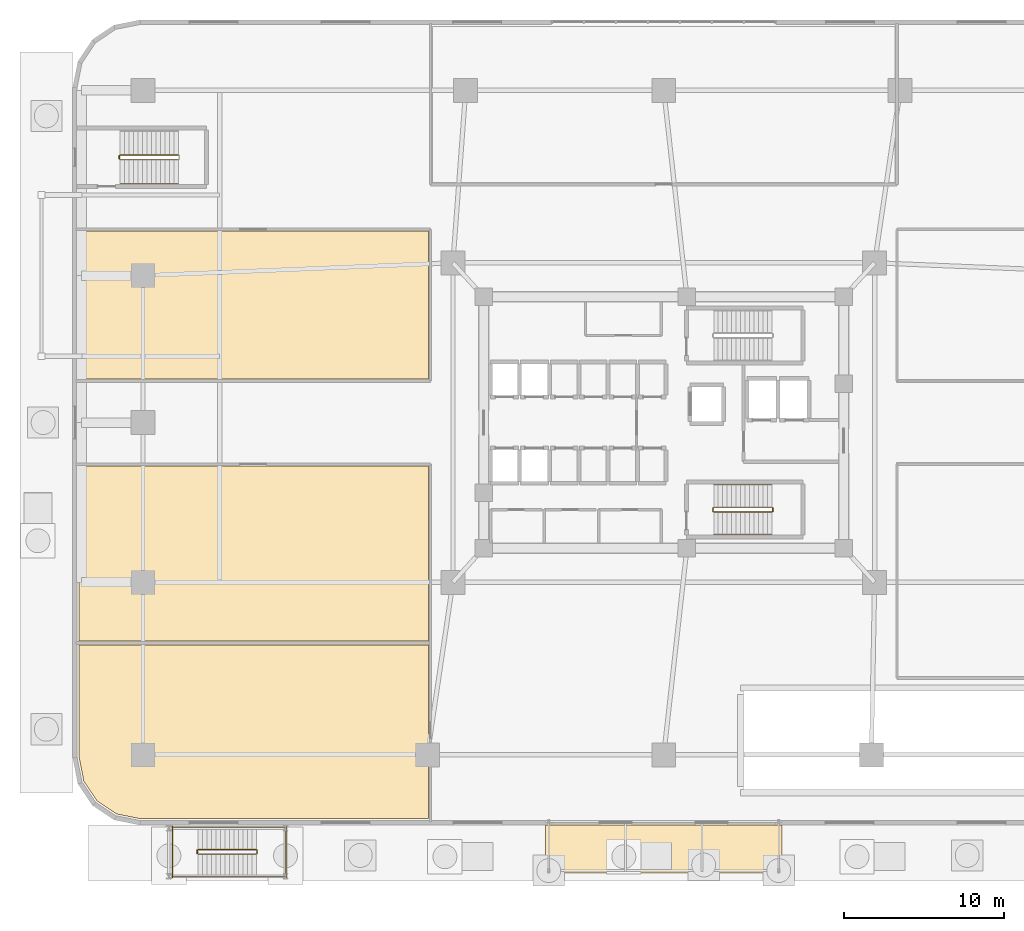
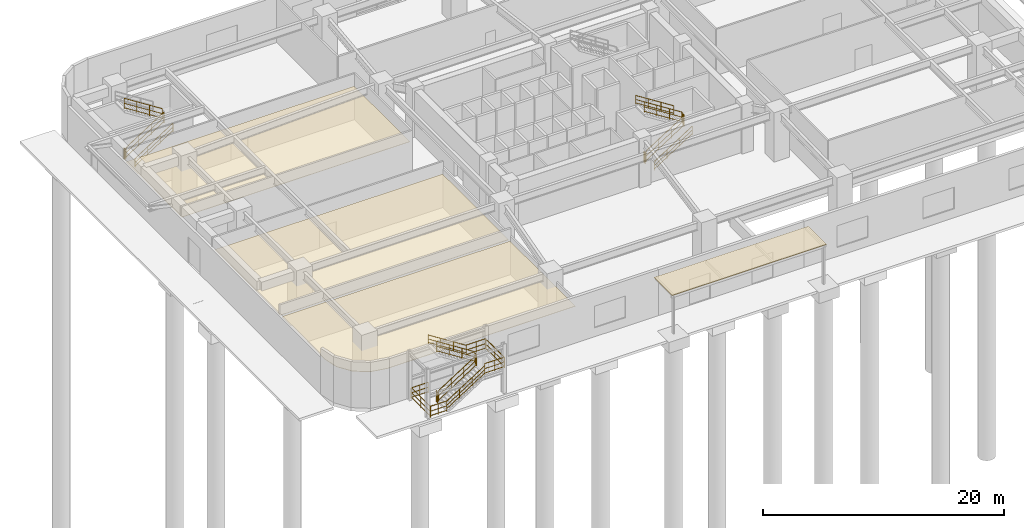
# One storey, part 16 of 18: 22 railings, 4 coverings.
"""IFC4 building model written with IfcOpenShell, lengths in metres."""

from ifc_helpers import new_model, si_unit, direction, frame, origin, origin_2d, place, context, subcontext, project, spatial, polyline, rectangle, outline, extrude, material, layer, layer_set, type_object, element, save


model = new_model("IFC4")

# Units and contexts
model_context = context("Model", 3, precision=1e-05, world=origin(), true_north=direction((0.0, 1.0)))
body_context = subcontext(model_context, "Body", "Model", "MODEL_VIEW")
ifc_project = project(units=[si_unit("LENGTHUNIT", "METRE"), si_unit("AREAUNIT", "SQUARE_METRE"), si_unit("VOLUMEUNIT", "CUBIC_METRE"), si_unit("PLANEANGLEUNIT", "RADIAN"), si_unit("MASSUNIT", "GRAM", prefix="KILO")], contexts=[model_context])

# Site, building, storey
site_placement = place(None, origin())
site = spatial("IfcSite", under=ifc_project, at=site_placement, CompositionType="ELEMENT")
building_placement = place(site_placement, origin())
building = spatial("IfcBuilding", under=site, at=building_placement, Name="Zulverin Broadcast Headquarters", CompositionType="ELEMENT")
storey_placement = place(building_placement, origin())
storey = spatial("IfcBuildingStorey", under=building, at=storey_placement, Name="L00", CompositionType="ELEMENT", Elevation=0.0)

# Coverings
ifc_material_1 = material(Name="Laminated low-iron safety canopy glass", Category="glass")
ifc_layer_1 = layer(ifc_material_1, 0.050048828125, Name="Laminated low-iron safety canopy glass", Category="glass")
ifc_layer_set_1 = layer_set([ifc_layer_1], Name="Laminated low-iron safety canopy glass")
covering_type_1 = type_object("IfcCoveringType", Name="COV-CANOPY-GLZ", PredefinedType="ROOFING", material=ifc_layer_set_1)
covering_1_placement = place(storey_placement, frame((0.0, 0.0, 3.969970703125)))
element("IfcCovering", 1, at=covering_1_placement, inside=storey, type_object=covering_type_1, Name="L00 South Entrance Laminated Canopy Glazing", PredefinedType="ROOFING", context=body_context, shape_type="SweptSolid", body=[
    extrude(outline(polyline([(29.60009765625, -3.0), (44.39990234375, -3.0), (44.39990234375, 0.02001953125), (29.60009765625, 0.02001953125), (29.60009765625, -3.0)])), origin(), (0.0, 0.0, 1.0), 0.050048828125),
])
ifc_material_2 = material(Name="Perforated pale-metal acoustic baffle ceiling", Category="aluminium")
ifc_layer_2 = layer(ifc_material_2, 0.0400390625, Name="Perforated pale-metal acoustic baffle ceiling", Category="aluminium")
ifc_layer_set_2 = layer_set([ifc_layer_2], Name="Perforated pale-metal acoustic baffle ceiling")
covering_type_2 = type_object("IfcCoveringType", Name="COV-CEIL-ACOU", PredefinedType="CEILING", material=ifc_layer_set_2)
covering_2_placement = place(storey_placement, frame((0.0, 0.0, 3.389892578125)))
element("IfcCovering", 2, at=covering_2_placement, inside=storey, type_object=covering_type_2, Name="L00 Acoustic Baffle Ceiling 01", PredefinedType="CEILING", context=body_context, shape_type="SweptSolid", body=[
    extrude(outline(polyline([(22.280029296875, 11.280029296875), (0.39990234375, 11.280029296875), (0.39990234375, 4.239990234375), (0.696044921875, 2.748046875), (1.52001953125, 1.52001953125), (2.748046875, 0.696044921875), (4.239990234375, 0.39990234375), (22.280029296875, 0.39990234375), (22.280029296875, 11.280029296875)])), origin(), (0.0, 0.0, 1.0), 0.0400390625),
])
covering_3_placement = place(storey_placement, frame((0.0, 0.0, 3.389892578125)))
element("IfcCovering", 3, at=covering_3_placement, inside=storey, type_object=covering_type_2, Name="L00 Acoustic Baffle Ceiling 02", PredefinedType="CEILING", context=body_context, shape_type="SweptSolid", body=[
    extrude(outline(polyline([(0.39990234375, 22.47998046875), (0.39990234375, 11.52001953125), (22.280029296875, 11.52001953125), (22.280029296875, 22.47998046875), (0.39990234375, 22.47998046875)])), origin(), (0.0, 0.0, 1.0), 0.0400390625),
])
covering_4_placement = place(storey_placement, frame((0.0, 0.0, 3.389892578125)))
element("IfcCovering", 4, at=covering_4_placement, inside=storey, type_object=covering_type_2, Name="L00 Acoustic Baffle Ceiling 03", PredefinedType="CEILING", context=body_context, shape_type="SweptSolid", body=[
    extrude(outline(polyline([(0.39990234375, 37.179931640625), (0.39990234375, 27.919921875), (22.280029296875, 27.919921875), (22.280029296875, 37.179931640625), (0.39990234375, 37.179931640625)])), origin(), (0.0, 0.0, 1.0), 0.0400390625),
])

# Railings
ifc_material_3 = material(Name="Painted galvanized steel tubular guardrail S355JR", Category="steel")
railing_type_1 = type_object("IfcRailingType", Name="RL-ST-GUARD", PredefinedType="GUARDRAIL", material=ifc_material_3)
railing_1_placement = place(storey_placement, frame((40.1298828125, 19.60009765625, 0.178466796875)))
element("IfcRailing", 5, at=railing_1_placement, inside=storey, type_object=railing_type_1, Name="L00 ST-2 stair guard 1", PredefinedType="GUARDRAIL", context=body_context, shape_type="SweptSolid", body=[
    extrude(rectangle(XDim=0.048095703125, YDim=0.048095703125, at=origin_2d()), frame((0.0, 0.0, 1.076171875), z_axis=(0.843127859045, 0.0, 0.537713132908), x_axis=(0.0, 1.0, 0.0)), (0.0, 0.0, 1.0), 4.3173828125),
    extrude(rectangle(XDim=0.0419921875, YDim=0.0419921875, at=origin_2d()), frame((0.0, 0.0, 0.572021484375), z_axis=(0.843127859045, 0.0, 0.537713132908), x_axis=(0.0, 1.0, 0.0)), (0.0, 0.0, 1.0), 4.3173828125),
    extrude(rectangle(XDim=0.0419921875, YDim=0.0419921875, at=origin_2d()), frame((0.0, 0.0, 0.1201171875), z_axis=(0.843127859045, 0.0, 0.537713132908), x_axis=(0.0, 1.0, 0.0)), (0.0, 0.0, 1.0), 4.3173828125),
    extrude(rectangle(XDim=0.0419921875, YDim=0.0419921875, at=origin_2d()), origin(), (0.0, 0.0, 1.0), 1.052001953125),
    extrude(rectangle(XDim=0.0419921875, YDim=0.0419921875, at=origin_2d()), frame((1.21337890625, 0.0, 0.77392578125)), (0.0, 0.0, 1.0), 1.052001953125),
    extrude(rectangle(XDim=0.0419921875, YDim=0.0419921875, at=origin_2d()), frame((2.4267578125, 0.0, 1.547607421875)), (0.0, 0.0, 1.0), 1.052001953125),
    extrude(rectangle(XDim=0.0419921875, YDim=0.0419921875, at=origin_2d()), frame((3.64013671875, 0.0, 2.321533203125)), (0.0, 0.0, 1.0), 1.052001953125),
])
railing_2_placement = place(storey_placement, frame((43.820068359375, 19.64990234375, 2.5)))
element("IfcRailing", 6, at=railing_2_placement, inside=storey, type_object=railing_type_1, Name="L00 ST-2 stair guard 2", PredefinedType="GUARDRAIL", context=body_context, shape_type="SweptSolid", body=[
    extrude(rectangle(XDim=0.048095703125, YDim=0.048095703125, at=origin_2d()), frame((0.0, 0.0, 1.076171875), z_axis=(0.0, 1.0, 0.0), x_axis=(-1.0, 0.0, 0.0)), (0.0, 0.0, 1.0), 0.2001953125),
    extrude(rectangle(XDim=0.0419921875, YDim=0.0419921875, at=origin_2d()), frame((0.0, 0.0, 0.572021484375), z_axis=(0.0, 1.0, 0.0), x_axis=(-1.0, 0.0, 0.0)), (0.0, 0.0, 1.0), 0.2001953125),
    extrude(rectangle(XDim=0.0419921875, YDim=0.0419921875, at=origin_2d()), frame((0.0, 0.0, 0.1201171875), z_axis=(0.0, 1.0, 0.0), x_axis=(-1.0, 0.0, 0.0)), (0.0, 0.0, 1.0), 0.2001953125),
    extrude(rectangle(XDim=0.0419921875, YDim=0.0419921875, at=origin_2d()), origin(), (0.0, 0.0, 1.0), 1.052001953125),
    extrude(rectangle(XDim=0.0419921875, YDim=0.0419921875, at=origin_2d()), frame((0.0, 0.2001953125, 0.0)), (0.0, 0.0, 1.0), 1.052001953125),
])
railing_3_placement = place(storey_placement, frame((43.77001953125, 19.89990234375, 2.678466796875)))
element("IfcRailing", 7, at=railing_3_placement, inside=storey, type_object=railing_type_1, Name="L00 ST-2 stair guard 3", PredefinedType="GUARDRAIL", context=body_context, shape_type="SweptSolid", body=[
    extrude(rectangle(XDim=0.048095703125, YDim=0.048095703125, at=origin_2d()), frame((0.0, 0.0, 1.076171875), z_axis=(-0.843127859045, 0.0, 0.537713132908), x_axis=(0.0, -1.0, 0.0)), (0.0, 0.0, 1.0), 4.3173828125),
    extrude(rectangle(XDim=0.0419921875, YDim=0.0419921875, at=origin_2d()), frame((0.0, 0.0, 0.572021484375), z_axis=(-0.843127859045, 0.0, 0.537713132908), x_axis=(0.0, -1.0, 0.0)), (0.0, 0.0, 1.0), 4.3173828125),
    extrude(rectangle(XDim=0.0419921875, YDim=0.0419921875, at=origin_2d()), frame((0.0, 0.0, 0.1201171875), z_axis=(-0.843127859045, 0.0, 0.537713132908), x_axis=(0.0, -1.0, 0.0)), (0.0, 0.0, 1.0), 4.3173828125),
    extrude(rectangle(XDim=0.0419921875, YDim=0.0419921875, at=origin_2d()), origin(), (0.0, 0.0, 1.0), 1.052001953125),
    extrude(rectangle(XDim=0.0419921875, YDim=0.0419921875, at=origin_2d()), frame((-1.21337890625, 0.0, 0.77392578125)), (0.0, 0.0, 1.0), 1.052001953125),
    extrude(rectangle(XDim=0.0419921875, YDim=0.0419921875, at=origin_2d()), frame((-2.4267578125, 0.0, 1.547607421875)), (0.0, 0.0, 1.0), 1.052001953125),
    extrude(rectangle(XDim=0.0419921875, YDim=0.0419921875, at=origin_2d()), frame((-3.64013671875, 0.0, 2.321533203125)), (0.0, 0.0, 1.0), 1.052001953125),
])
railing_4_placement = place(storey_placement, frame((40.080078125, 19.64990234375, 0.0)))
element("IfcRailing", 8, at=railing_4_placement, inside=storey, type_object=railing_type_1, Name="L00 ST-2 stair guard 4", PredefinedType="GUARDRAIL", context=body_context, shape_type="SweptSolid", body=[
    extrude(rectangle(XDim=0.048095703125, YDim=0.048095703125, at=origin_2d()), frame((0.0, 0.0, 1.076171875), z_axis=(0.0, 1.0, 0.0), x_axis=(-1.0, 0.0, 0.0)), (0.0, 0.0, 1.0), 0.2001953125),
    extrude(rectangle(XDim=0.0419921875, YDim=0.0419921875, at=origin_2d()), frame((0.0, 0.0, 0.572021484375), z_axis=(0.0, 1.0, 0.0), x_axis=(-1.0, 0.0, 0.0)), (0.0, 0.0, 1.0), 0.2001953125),
    extrude(rectangle(XDim=0.0419921875, YDim=0.0419921875, at=origin_2d()), frame((0.0, 0.0, 0.1201171875), z_axis=(0.0, 1.0, 0.0), x_axis=(-1.0, 0.0, 0.0)), (0.0, 0.0, 1.0), 0.2001953125),
    extrude(rectangle(XDim=0.0419921875, YDim=0.0419921875, at=origin_2d()), origin(), (0.0, 0.0, 1.0), 1.052001953125),
    extrude(rectangle(XDim=0.0419921875, YDim=0.0419921875, at=origin_2d()), frame((0.0, 0.2001953125, 0.0)), (0.0, 0.0, 1.0), 1.052001953125),
])
railing_5_placement = place(storey_placement, frame((2.969970703125, 41.64990234375, 0.178466796875)))
element("IfcRailing", 9, at=railing_5_placement, inside=storey, type_object=railing_type_1, Name="L00 ST-3 stair guard 1", PredefinedType="GUARDRAIL", context=body_context, shape_type="SweptSolid", body=[
    extrude(rectangle(XDim=0.048095703125, YDim=0.048095703125, at=origin_2d()), frame((0.0, 0.0, 1.076171875), z_axis=(0.843127859045, 0.0, 0.537713132908), x_axis=(0.0, 1.0, 0.0)), (0.0, 0.0, 1.0), 4.3173828125),
    extrude(rectangle(XDim=0.0419921875, YDim=0.0419921875, at=origin_2d()), frame((0.0, 0.0, 0.572021484375), z_axis=(0.843127859045, 0.0, 0.537713132908), x_axis=(0.0, 1.0, 0.0)), (0.0, 0.0, 1.0), 4.3173828125),
    extrude(rectangle(XDim=0.0419921875, YDim=0.0419921875, at=origin_2d()), frame((0.0, 0.0, 0.1201171875), z_axis=(0.843127859045, 0.0, 0.537713132908), x_axis=(0.0, 1.0, 0.0)), (0.0, 0.0, 1.0), 4.3173828125),
    extrude(rectangle(XDim=0.0419921875, YDim=0.0419921875, at=origin_2d()), origin(), (0.0, 0.0, 1.0), 1.052001953125),
    extrude(rectangle(XDim=0.0419921875, YDim=0.0419921875, at=origin_2d()), frame((1.21337890625, 0.0, 0.77392578125)), (0.0, 0.0, 1.0), 1.052001953125),
    extrude(rectangle(XDim=0.0419921875, YDim=0.0419921875, at=origin_2d()), frame((2.4267578125, 0.0, 1.547607421875)), (0.0, 0.0, 1.0), 1.052001953125),
    extrude(rectangle(XDim=0.0419921875, YDim=0.0419921875, at=origin_2d()), frame((3.64013671875, 0.0, 2.321533203125)), (0.0, 0.0, 1.0), 1.052001953125),
])
railing_6_placement = place(storey_placement, frame((6.610107421875, 41.949951171875, 2.678466796875)))
element("IfcRailing", 10, at=railing_6_placement, inside=storey, type_object=railing_type_1, Name="L00 ST-3 stair guard 3", PredefinedType="GUARDRAIL", context=body_context, shape_type="SweptSolid", body=[
    extrude(rectangle(XDim=0.048095703125, YDim=0.048095703125, at=origin_2d()), frame((0.0, 0.0, 1.076171875), z_axis=(-0.843127859045, 0.0, 0.537713132908), x_axis=(0.0, -1.0, 0.0)), (0.0, 0.0, 1.0), 4.3173828125),
    extrude(rectangle(XDim=0.0419921875, YDim=0.0419921875, at=origin_2d()), frame((0.0, 0.0, 0.572021484375), z_axis=(-0.843127859045, 0.0, 0.537713132908), x_axis=(0.0, -1.0, 0.0)), (0.0, 0.0, 1.0), 4.3173828125),
    extrude(rectangle(XDim=0.0419921875, YDim=0.0419921875, at=origin_2d()), frame((0.0, 0.0, 0.1201171875), z_axis=(-0.843127859045, 0.0, 0.537713132908), x_axis=(0.0, -1.0, 0.0)), (0.0, 0.0, 1.0), 4.3173828125),
    extrude(rectangle(XDim=0.0419921875, YDim=0.0419921875, at=origin_2d()), origin(), (0.0, 0.0, 1.0), 1.052001953125),
    extrude(rectangle(XDim=0.0419921875, YDim=0.0419921875, at=origin_2d()), frame((-1.21337890625, 0.0, 0.77392578125)), (0.0, 0.0, 1.0), 1.052001953125),
    extrude(rectangle(XDim=0.0419921875, YDim=0.0419921875, at=origin_2d()), frame((-2.4267578125, 0.0, 1.547607421875)), (0.0, 0.0, 1.0), 1.052001953125),
    extrude(rectangle(XDim=0.0419921875, YDim=0.0419921875, at=origin_2d()), frame((-3.64013671875, 0.0, 2.321533203125)), (0.0, 0.0, 1.0), 1.052001953125),
])
railing_7_placement = place(storey_placement, frame((2.919921875, 41.699951171875, 0.0)))
element("IfcRailing", 11, at=railing_7_placement, inside=storey, type_object=railing_type_1, Name="L00 ST-3 stair guard 4", PredefinedType="GUARDRAIL", context=body_context, shape_type="SweptSolid", body=[
    extrude(rectangle(XDim=0.048095703125, YDim=0.048095703125, at=origin_2d()), frame((0.0, 0.0, 1.076171875), z_axis=(0.0, 1.0, 0.0), x_axis=(-1.0, 0.0, 0.0)), (0.0, 0.0, 1.0), 0.199951171875),
    extrude(rectangle(XDim=0.0419921875, YDim=0.0419921875, at=origin_2d()), frame((0.0, 0.0, 0.572021484375), z_axis=(0.0, 1.0, 0.0), x_axis=(-1.0, 0.0, 0.0)), (0.0, 0.0, 1.0), 0.199951171875),
    extrude(rectangle(XDim=0.0419921875, YDim=0.0419921875, at=origin_2d()), frame((0.0, 0.0, 0.1201171875), z_axis=(0.0, 1.0, 0.0), x_axis=(-1.0, 0.0, 0.0)), (0.0, 0.0, 1.0), 0.199951171875),
    extrude(rectangle(XDim=0.0419921875, YDim=0.0419921875, at=origin_2d()), origin(), (0.0, 0.0, 1.0), 1.052001953125),
    extrude(rectangle(XDim=0.0419921875, YDim=0.0419921875, at=origin_2d()), frame((0.0, 0.199951171875, 0.0)), (0.0, 0.0, 1.0), 1.052001953125),
])
railing_8_placement = place(storey_placement, frame((7.85009765625, -1.830078125, 0.178466796875)))
element("IfcRailing", 12, at=railing_8_placement, inside=storey, type_object=railing_type_1, Name="L00 ST-5 stair guard 1", PredefinedType="GUARDRAIL", context=body_context, shape_type="SweptSolid", body=[
    extrude(rectangle(XDim=0.048095703125, YDim=0.048095703125, at=origin_2d()), frame((0.0, 0.0, 1.076171875), z_axis=(0.843111507901, 0.0, 0.53773877045), x_axis=(0.0, 1.0, 0.0)), (0.0, 0.0, 1.0), 4.317138671875),
    extrude(rectangle(XDim=0.0419921875, YDim=0.0419921875, at=origin_2d()), frame((0.0, 0.0, 0.572021484375), z_axis=(0.843111507901, 0.0, 0.53773877045), x_axis=(0.0, 1.0, 0.0)), (0.0, 0.0, 1.0), 4.317138671875),
    extrude(rectangle(XDim=0.0419921875, YDim=0.0419921875, at=origin_2d()), frame((0.0, 0.0, 0.1201171875), z_axis=(0.843111507901, 0.0, 0.53773877045), x_axis=(0.0, 1.0, 0.0)), (0.0, 0.0, 1.0), 4.317138671875),
    extrude(rectangle(XDim=0.0419921875, YDim=0.0419921875, at=origin_2d()), origin(), (0.0, 0.0, 1.0), 1.052001953125),
    extrude(rectangle(XDim=0.0419921875, YDim=0.0419921875, at=origin_2d()), frame((1.21337890625, 0.0, 0.77392578125)), (0.0, 0.0, 1.0), 1.052001953125),
    extrude(rectangle(XDim=0.0419921875, YDim=0.0419921875, at=origin_2d()), frame((2.426513671875, 0.0, 1.547607421875)), (0.0, 0.0, 1.0), 1.052001953125),
    extrude(rectangle(XDim=0.0419921875, YDim=0.0419921875, at=origin_2d()), frame((3.639892578125, 0.0, 2.321533203125)), (0.0, 0.0, 1.0), 1.052001953125),
])
railing_9_placement = place(storey_placement, frame((11.5400390625, -1.780029296875, 2.5)))
element("IfcRailing", 13, at=railing_9_placement, inside=storey, type_object=railing_type_1, Name="L00 ST-5 stair guard 2", PredefinedType="GUARDRAIL", context=body_context, shape_type="SweptSolid", body=[
    extrude(rectangle(XDim=0.048095703125, YDim=0.048095703125, at=origin_2d()), frame((0.0, 0.0, 1.076171875), z_axis=(0.0, 1.0, 0.0), x_axis=(-1.0, 0.0, 0.0)), (0.0, 0.0, 1.0), 0.199951171875),
    extrude(rectangle(XDim=0.0419921875, YDim=0.0419921875, at=origin_2d()), frame((0.0, 0.0, 0.572021484375), z_axis=(0.0, 1.0, 0.0), x_axis=(-1.0, 0.0, 0.0)), (0.0, 0.0, 1.0), 0.199951171875),
    extrude(rectangle(XDim=0.0419921875, YDim=0.0419921875, at=origin_2d()), frame((0.0, 0.0, 0.1201171875), z_axis=(0.0, 1.0, 0.0), x_axis=(-1.0, 0.0, 0.0)), (0.0, 0.0, 1.0), 0.199951171875),
    extrude(rectangle(XDim=0.0419921875, YDim=0.0419921875, at=origin_2d()), origin(), (0.0, 0.0, 1.0), 1.052001953125),
    extrude(rectangle(XDim=0.0419921875, YDim=0.0419921875, at=origin_2d()), frame((0.0, 0.199951171875, 0.0)), (0.0, 0.0, 1.0), 1.052001953125),
])
for number, where, name in (
    (14, (11.489990234375, -3.22998046875, 2.5), "L00 ST-5 stair guard 3"),
    (15, (11.489990234375, -0.1298828125, 2.5), "L00 ST-5 stair guard 4"),
):
    element("IfcRailing", number, at=place(storey_placement, frame(where)), inside=storey, type_object=railing_type_1, Name=name, PredefinedType="GUARDRAIL", context=body_context, shape_type="SweptSolid", body=[
        extrude(rectangle(XDim=0.048095703125, YDim=0.048095703125, at=origin_2d()), frame((0.0, 0.0, 1.076171875), z_axis=(1.0, 0.0, 0.0), x_axis=(0.0, 1.0, 0.0)), (0.0, 0.0, 1.0), 1.909912109375),
        extrude(rectangle(XDim=0.0419921875, YDim=0.0419921875, at=origin_2d()), frame((0.0, 0.0, 0.572021484375), z_axis=(1.0, 0.0, 0.0), x_axis=(0.0, 1.0, 0.0)), (0.0, 0.0, 1.0), 1.909912109375),
        extrude(rectangle(XDim=0.0419921875, YDim=0.0419921875, at=origin_2d()), frame((0.0, 0.0, 0.1201171875), z_axis=(1.0, 0.0, 0.0), x_axis=(0.0, 1.0, 0.0)), (0.0, 0.0, 1.0), 1.909912109375),
        extrude(rectangle(XDim=0.0419921875, YDim=0.0419921875, at=origin_2d()), origin(), (0.0, 0.0, 1.0), 1.052001953125),
        extrude(rectangle(XDim=0.0419921875, YDim=0.0419921875, at=origin_2d()), frame((0.955078125, 0.0, 0.0)), (0.0, 0.0, 1.0), 1.052001953125),
        extrude(rectangle(XDim=0.0419921875, YDim=0.0419921875, at=origin_2d()), frame((1.909912109375, 0.0, 0.0)), (0.0, 0.0, 1.0), 1.052001953125),
    ])
railing_10_placement = place(storey_placement, frame((13.35009765625, -3.280029296875, 2.5)))
element("IfcRailing", 16, at=railing_10_placement, inside=storey, type_object=railing_type_1, Name="L00 ST-5 stair guard 5", PredefinedType="GUARDRAIL", context=body_context, shape_type="SweptSolid", body=[
    extrude(rectangle(XDim=0.048095703125, YDim=0.048095703125, at=origin_2d()), frame((0.0, 0.0, 1.076171875), z_axis=(0.0, 1.0, 0.0), x_axis=(-1.0, 0.0, 0.0)), (0.0, 0.0, 1.0), 3.199951171875),
    extrude(rectangle(XDim=0.0419921875, YDim=0.0419921875, at=origin_2d()), frame((0.0, 0.0, 0.572021484375), z_axis=(0.0, 1.0, 0.0), x_axis=(-1.0, 0.0, 0.0)), (0.0, 0.0, 1.0), 3.199951171875),
    extrude(rectangle(XDim=0.0419921875, YDim=0.0419921875, at=origin_2d()), frame((0.0, 0.0, 0.1201171875), z_axis=(0.0, 1.0, 0.0), x_axis=(-1.0, 0.0, 0.0)), (0.0, 0.0, 1.0), 3.199951171875),
    extrude(rectangle(XDim=0.0419921875, YDim=0.0419921875, at=origin_2d()), origin(), (0.0, 0.0, 1.0), 1.052001953125),
    extrude(rectangle(XDim=0.0419921875, YDim=0.0419921875, at=origin_2d()), frame((0.0, 1.60009765625, 0.0)), (0.0, 0.0, 1.0), 1.052001953125),
    extrude(rectangle(XDim=0.0419921875, YDim=0.0419921875, at=origin_2d()), frame((0.0, 3.199951171875, 0.0)), (0.0, 0.0, 1.0), 1.052001953125),
])
railing_11_placement = place(storey_placement, frame((11.489990234375, -1.530029296875, 2.678466796875)))
element("IfcRailing", 17, at=railing_11_placement, inside=storey, type_object=railing_type_1, Name="L00 ST-5 stair guard 6", PredefinedType="GUARDRAIL", context=body_context, shape_type="SweptSolid", body=[
    extrude(rectangle(XDim=0.048095703125, YDim=0.048095703125, at=origin_2d()), frame((0.0, 0.0, 1.076171875), z_axis=(-0.843111507901, 0.0, 0.53773877045), x_axis=(0.0, -1.0, 0.0)), (0.0, 0.0, 1.0), 4.317138671875),
    extrude(rectangle(XDim=0.0419921875, YDim=0.0419921875, at=origin_2d()), frame((0.0, 0.0, 0.572021484375), z_axis=(-0.843111507901, 0.0, 0.53773877045), x_axis=(0.0, -1.0, 0.0)), (0.0, 0.0, 1.0), 4.317138671875),
    extrude(rectangle(XDim=0.0419921875, YDim=0.0419921875, at=origin_2d()), frame((0.0, 0.0, 0.1201171875), z_axis=(-0.843111507901, 0.0, 0.53773877045), x_axis=(0.0, -1.0, 0.0)), (0.0, 0.0, 1.0), 4.317138671875),
    extrude(rectangle(XDim=0.0419921875, YDim=0.0419921875, at=origin_2d()), origin(), (0.0, 0.0, 1.0), 1.052001953125),
    extrude(rectangle(XDim=0.0419921875, YDim=0.0419921875, at=origin_2d()), frame((-1.21337890625, 0.0, 0.77392578125)), (0.0, 0.0, 1.0), 1.052001953125),
    extrude(rectangle(XDim=0.0419921875, YDim=0.0419921875, at=origin_2d()), frame((-2.426513671875, 0.0, 1.547607421875)), (0.0, 0.0, 1.0), 1.052001953125),
    extrude(rectangle(XDim=0.0419921875, YDim=0.0419921875, at=origin_2d()), frame((-3.639892578125, 0.0, 2.321533203125)), (0.0, 0.0, 1.0), 1.052001953125),
])
railing_12_placement = place(storey_placement, frame((7.800048828125, -1.780029296875, 0.0)))
element("IfcRailing", 18, at=railing_12_placement, inside=storey, type_object=railing_type_1, Name="L00 ST-5 stair guard 7", PredefinedType="GUARDRAIL", context=body_context, shape_type="SweptSolid", body=[
    extrude(rectangle(XDim=0.048095703125, YDim=0.048095703125, at=origin_2d()), frame((0.0, 0.0, 1.076171875), z_axis=(0.0, 1.0, 0.0), x_axis=(-1.0, 0.0, 0.0)), (0.0, 0.0, 1.0), 0.199951171875),
    extrude(rectangle(XDim=0.0419921875, YDim=0.0419921875, at=origin_2d()), frame((0.0, 0.0, 0.572021484375), z_axis=(0.0, 1.0, 0.0), x_axis=(-1.0, 0.0, 0.0)), (0.0, 0.0, 1.0), 0.199951171875),
    extrude(rectangle(XDim=0.0419921875, YDim=0.0419921875, at=origin_2d()), frame((0.0, 0.0, 0.1201171875), z_axis=(0.0, 1.0, 0.0), x_axis=(-1.0, 0.0, 0.0)), (0.0, 0.0, 1.0), 0.199951171875),
    extrude(rectangle(XDim=0.0419921875, YDim=0.0419921875, at=origin_2d()), origin(), (0.0, 0.0, 1.0), 1.052001953125),
    extrude(rectangle(XDim=0.0419921875, YDim=0.0419921875, at=origin_2d()), frame((0.0, 0.199951171875, 0.0)), (0.0, 0.0, 1.0), 1.052001953125),
])
for number, where, name in (
    (19, (6.199951171875, -3.22998046875, 0.0), "L00 ST-5 stair guard 8"),
    (20, (6.199951171875, -0.1298828125, 0.0), "L00 ST-5 stair guard 9"),
):
    element("IfcRailing", number, at=place(storey_placement, frame(where)), inside=storey, type_object=railing_type_1, Name=name, PredefinedType="GUARDRAIL", context=body_context, shape_type="SweptSolid", body=[
        extrude(rectangle(XDim=0.048095703125, YDim=0.048095703125, at=origin_2d()), frame((0.0, 0.0, 1.076171875), z_axis=(1.0, 0.0, 0.0), x_axis=(0.0, 1.0, 0.0)), (0.0, 0.0, 1.0), 1.650146484375),
        extrude(rectangle(XDim=0.0419921875, YDim=0.0419921875, at=origin_2d()), frame((0.0, 0.0, 0.572021484375), z_axis=(1.0, 0.0, 0.0), x_axis=(0.0, 1.0, 0.0)), (0.0, 0.0, 1.0), 1.650146484375),
        extrude(rectangle(XDim=0.0419921875, YDim=0.0419921875, at=origin_2d()), frame((0.0, 0.0, 0.1201171875), z_axis=(1.0, 0.0, 0.0), x_axis=(0.0, 1.0, 0.0)), (0.0, 0.0, 1.0), 1.650146484375),
        extrude(rectangle(XDim=0.0419921875, YDim=0.0419921875, at=origin_2d()), origin(), (0.0, 0.0, 1.0), 1.052001953125),
        extrude(rectangle(XDim=0.0419921875, YDim=0.0419921875, at=origin_2d()), frame((0.8251953125, 0.0, 0.0)), (0.0, 0.0, 1.0), 1.052001953125),
        extrude(rectangle(XDim=0.0419921875, YDim=0.0419921875, at=origin_2d()), frame((1.650146484375, 0.0, 0.0)), (0.0, 0.0, 1.0), 1.052001953125),
    ])
railing_13_placement = place(storey_placement, frame((6.25, -3.280029296875, 0.0)))
element("IfcRailing", 21, at=railing_13_placement, inside=storey, type_object=railing_type_1, Name="L00 ST-5 stair guard 10", PredefinedType="GUARDRAIL", context=body_context, shape_type="SweptSolid", body=[
    extrude(rectangle(XDim=0.048095703125, YDim=0.048095703125, at=origin_2d()), frame((0.0, 0.0, 1.076171875), z_axis=(0.0, 1.0, 0.0), x_axis=(-1.0, 0.0, 0.0)), (0.0, 0.0, 1.0), 3.199951171875),
    extrude(rectangle(XDim=0.0419921875, YDim=0.0419921875, at=origin_2d()), frame((0.0, 0.0, 0.572021484375), z_axis=(0.0, 1.0, 0.0), x_axis=(-1.0, 0.0, 0.0)), (0.0, 0.0, 1.0), 3.199951171875),
    extrude(rectangle(XDim=0.0419921875, YDim=0.0419921875, at=origin_2d()), frame((0.0, 0.0, 0.1201171875), z_axis=(0.0, 1.0, 0.0), x_axis=(-1.0, 0.0, 0.0)), (0.0, 0.0, 1.0), 3.199951171875),
    extrude(rectangle(XDim=0.0419921875, YDim=0.0419921875, at=origin_2d()), origin(), (0.0, 0.0, 1.0), 1.052001953125),
    extrude(rectangle(XDim=0.0419921875, YDim=0.0419921875, at=origin_2d()), frame((0.0, 1.60009765625, 0.0)), (0.0, 0.0, 1.0), 1.052001953125),
    extrude(rectangle(XDim=0.0419921875, YDim=0.0419921875, at=origin_2d()), frame((0.0, 3.199951171875, 0.0)), (0.0, 0.0, 1.0), 1.052001953125),
])
ifc_material_4 = material(Name="Brushed stainless steel 48 mm handrail", Category="steel")
railing_type_2 = type_object("IfcRailingType", Name="RL-ST-HAND", PredefinedType="HANDRAIL", material=ifc_material_4)
railing_14_placement = place(storey_placement, frame((40.1298828125, 18.199951171875, 0.178466796875)))
element("IfcRailing", 22, at=railing_14_placement, inside=storey, type_object=railing_type_2, Name="L00 ST-2 stair handrail 1", PredefinedType="HANDRAIL", context=body_context, shape_type="SweptSolid", body=[
    extrude(rectangle(XDim=0.048095703125, YDim=0.048095703125, at=origin_2d()), frame((0.0, 0.0, 0.8759765625), z_axis=(0.843127859045, 0.0, 0.537713132908), x_axis=(0.0, 1.0, 0.0)), (0.0, 0.0, 1.0), 4.3173828125),
    extrude(rectangle(XDim=0.0419921875, YDim=0.0419921875, at=origin_2d()), frame((0.0, 0.0, 0.468017578125), z_axis=(0.843127859045, 0.0, 0.537713132908), x_axis=(0.0, 1.0, 0.0)), (0.0, 0.0, 1.0), 4.3173828125),
    extrude(rectangle(XDim=0.0419921875, YDim=0.0419921875, at=origin_2d()), frame((0.0, 0.0, 0.1201171875), z_axis=(0.843127859045, 0.0, 0.537713132908), x_axis=(0.0, 1.0, 0.0)), (0.0, 0.0, 1.0), 4.3173828125),
    extrude(rectangle(XDim=0.0419921875, YDim=0.0419921875, at=origin_2d()), origin(), (0.0, 0.0, 1.0), 0.851806640625),
    extrude(rectangle(XDim=0.0419921875, YDim=0.0419921875, at=origin_2d()), frame((1.21337890625, 0.0, 0.77392578125)), (0.0, 0.0, 1.0), 0.851806640625),
    extrude(rectangle(XDim=0.0419921875, YDim=0.0419921875, at=origin_2d()), frame((2.4267578125, 0.0, 1.547607421875)), (0.0, 0.0, 1.0), 0.851806640625),
    extrude(rectangle(XDim=0.0419921875, YDim=0.0419921875, at=origin_2d()), frame((3.64013671875, 0.0, 2.321533203125)), (0.0, 0.0, 1.0), 0.851806640625),
])
railing_15_placement = place(storey_placement, frame((43.77001953125, 21.300048828125, 2.678466796875)))
element("IfcRailing", 23, at=railing_15_placement, inside=storey, type_object=railing_type_2, Name="L00 ST-2 stair handrail 2", PredefinedType="HANDRAIL", context=body_context, shape_type="SweptSolid", body=[
    extrude(rectangle(XDim=0.048095703125, YDim=0.048095703125, at=origin_2d()), frame((0.0, 0.0, 0.8759765625), z_axis=(-0.843127859045, 0.0, 0.537713132908), x_axis=(0.0, -1.0, 0.0)), (0.0, 0.0, 1.0), 4.3173828125),
    extrude(rectangle(XDim=0.0419921875, YDim=0.0419921875, at=origin_2d()), frame((0.0, 0.0, 0.468017578125), z_axis=(-0.843127859045, 0.0, 0.537713132908), x_axis=(0.0, -1.0, 0.0)), (0.0, 0.0, 1.0), 4.3173828125),
    extrude(rectangle(XDim=0.0419921875, YDim=0.0419921875, at=origin_2d()), frame((0.0, 0.0, 0.1201171875), z_axis=(-0.843127859045, 0.0, 0.537713132908), x_axis=(0.0, -1.0, 0.0)), (0.0, 0.0, 1.0), 4.3173828125),
    extrude(rectangle(XDim=0.0419921875, YDim=0.0419921875, at=origin_2d()), origin(), (0.0, 0.0, 1.0), 0.851806640625),
    extrude(rectangle(XDim=0.0419921875, YDim=0.0419921875, at=origin_2d()), frame((-1.21337890625, 0.0, 0.77392578125)), (0.0, 0.0, 1.0), 0.851806640625),
    extrude(rectangle(XDim=0.0419921875, YDim=0.0419921875, at=origin_2d()), frame((-2.4267578125, 0.0, 1.547607421875)), (0.0, 0.0, 1.0), 0.851806640625),
    extrude(rectangle(XDim=0.0419921875, YDim=0.0419921875, at=origin_2d()), frame((-3.64013671875, 0.0, 2.321533203125)), (0.0, 0.0, 1.0), 0.851806640625),
])
railing_16_placement = place(storey_placement, frame((2.969970703125, 40.14990234375, 0.178466796875)))
element("IfcRailing", 24, at=railing_16_placement, inside=storey, type_object=railing_type_2, Name="L00 ST-3 stair handrail 1", PredefinedType="HANDRAIL", context=body_context, shape_type="SweptSolid", body=[
    extrude(rectangle(XDim=0.048095703125, YDim=0.048095703125, at=origin_2d()), frame((0.0, 0.0, 0.8759765625), z_axis=(0.843127859045, 0.0, 0.537713132908), x_axis=(0.0, 1.0, 0.0)), (0.0, 0.0, 1.0), 4.3173828125),
    extrude(rectangle(XDim=0.0419921875, YDim=0.0419921875, at=origin_2d()), frame((0.0, 0.0, 0.468017578125), z_axis=(0.843127859045, 0.0, 0.537713132908), x_axis=(0.0, 1.0, 0.0)), (0.0, 0.0, 1.0), 4.3173828125),
    extrude(rectangle(XDim=0.0419921875, YDim=0.0419921875, at=origin_2d()), frame((0.0, 0.0, 0.1201171875), z_axis=(0.843127859045, 0.0, 0.537713132908), x_axis=(0.0, 1.0, 0.0)), (0.0, 0.0, 1.0), 4.3173828125),
    extrude(rectangle(XDim=0.0419921875, YDim=0.0419921875, at=origin_2d()), origin(), (0.0, 0.0, 1.0), 0.851806640625),
    extrude(rectangle(XDim=0.0419921875, YDim=0.0419921875, at=origin_2d()), frame((1.21337890625, 0.0, 0.77392578125)), (0.0, 0.0, 1.0), 0.851806640625),
    extrude(rectangle(XDim=0.0419921875, YDim=0.0419921875, at=origin_2d()), frame((2.4267578125, 0.0, 1.547607421875)), (0.0, 0.0, 1.0), 0.851806640625),
    extrude(rectangle(XDim=0.0419921875, YDim=0.0419921875, at=origin_2d()), frame((3.64013671875, 0.0, 2.321533203125)), (0.0, 0.0, 1.0), 0.851806640625),
])
railing_17_placement = place(storey_placement, frame((7.85009765625, -3.22998046875, 0.178466796875)))
element("IfcRailing", 25, at=railing_17_placement, inside=storey, type_object=railing_type_2, Name="L00 ST-5 stair handrail 1", PredefinedType="HANDRAIL", context=body_context, shape_type="SweptSolid", body=[
    extrude(rectangle(XDim=0.048095703125, YDim=0.048095703125, at=origin_2d()), frame((0.0, 0.0, 0.8759765625), z_axis=(0.843111507901, 0.0, 0.53773877045), x_axis=(0.0, 1.0, 0.0)), (0.0, 0.0, 1.0), 4.317138671875),
    extrude(rectangle(XDim=0.0419921875, YDim=0.0419921875, at=origin_2d()), frame((0.0, 0.0, 0.468017578125), z_axis=(0.843111507901, 0.0, 0.53773877045), x_axis=(0.0, 1.0, 0.0)), (0.0, 0.0, 1.0), 4.317138671875),
    extrude(rectangle(XDim=0.0419921875, YDim=0.0419921875, at=origin_2d()), frame((0.0, 0.0, 0.1201171875), z_axis=(0.843111507901, 0.0, 0.53773877045), x_axis=(0.0, 1.0, 0.0)), (0.0, 0.0, 1.0), 4.317138671875),
    extrude(rectangle(XDim=0.0419921875, YDim=0.0419921875, at=origin_2d()), origin(), (0.0, 0.0, 1.0), 0.851806640625),
    extrude(rectangle(XDim=0.0419921875, YDim=0.0419921875, at=origin_2d()), frame((1.21337890625, 0.0, 0.77392578125)), (0.0, 0.0, 1.0), 0.851806640625),
    extrude(rectangle(XDim=0.0419921875, YDim=0.0419921875, at=origin_2d()), frame((2.426513671875, 0.0, 1.547607421875)), (0.0, 0.0, 1.0), 0.851806640625),
    extrude(rectangle(XDim=0.0419921875, YDim=0.0419921875, at=origin_2d()), frame((3.639892578125, 0.0, 2.321533203125)), (0.0, 0.0, 1.0), 0.851806640625),
])
railing_18_placement = place(storey_placement, frame((11.489990234375, -0.1298828125, 2.678466796875)))
element("IfcRailing", 26, at=railing_18_placement, inside=storey, type_object=railing_type_2, Name="L00 ST-5 stair handrail 2", PredefinedType="HANDRAIL", context=body_context, shape_type="SweptSolid", body=[
    extrude(rectangle(XDim=0.048095703125, YDim=0.048095703125, at=origin_2d()), frame((0.0, 0.0, 0.8759765625), z_axis=(-0.843111507901, 0.0, 0.53773877045), x_axis=(0.0, -1.0, 0.0)), (0.0, 0.0, 1.0), 4.317138671875),
    extrude(rectangle(XDim=0.0419921875, YDim=0.0419921875, at=origin_2d()), frame((0.0, 0.0, 0.468017578125), z_axis=(-0.843111507901, 0.0, 0.53773877045), x_axis=(0.0, -1.0, 0.0)), (0.0, 0.0, 1.0), 4.317138671875),
    extrude(rectangle(XDim=0.0419921875, YDim=0.0419921875, at=origin_2d()), frame((0.0, 0.0, 0.1201171875), z_axis=(-0.843111507901, 0.0, 0.53773877045), x_axis=(0.0, -1.0, 0.0)), (0.0, 0.0, 1.0), 4.317138671875),
    extrude(rectangle(XDim=0.0419921875, YDim=0.0419921875, at=origin_2d()), origin(), (0.0, 0.0, 1.0), 0.851806640625),
    extrude(rectangle(XDim=0.0419921875, YDim=0.0419921875, at=origin_2d()), frame((-1.21337890625, 0.0, 0.77392578125)), (0.0, 0.0, 1.0), 0.851806640625),
    extrude(rectangle(XDim=0.0419921875, YDim=0.0419921875, at=origin_2d()), frame((-2.426513671875, 0.0, 1.547607421875)), (0.0, 0.0, 1.0), 0.851806640625),
    extrude(rectangle(XDim=0.0419921875, YDim=0.0419921875, at=origin_2d()), frame((-3.639892578125, 0.0, 2.321533203125)), (0.0, 0.0, 1.0), 0.851806640625),
])

save(model, "model.ifc")
